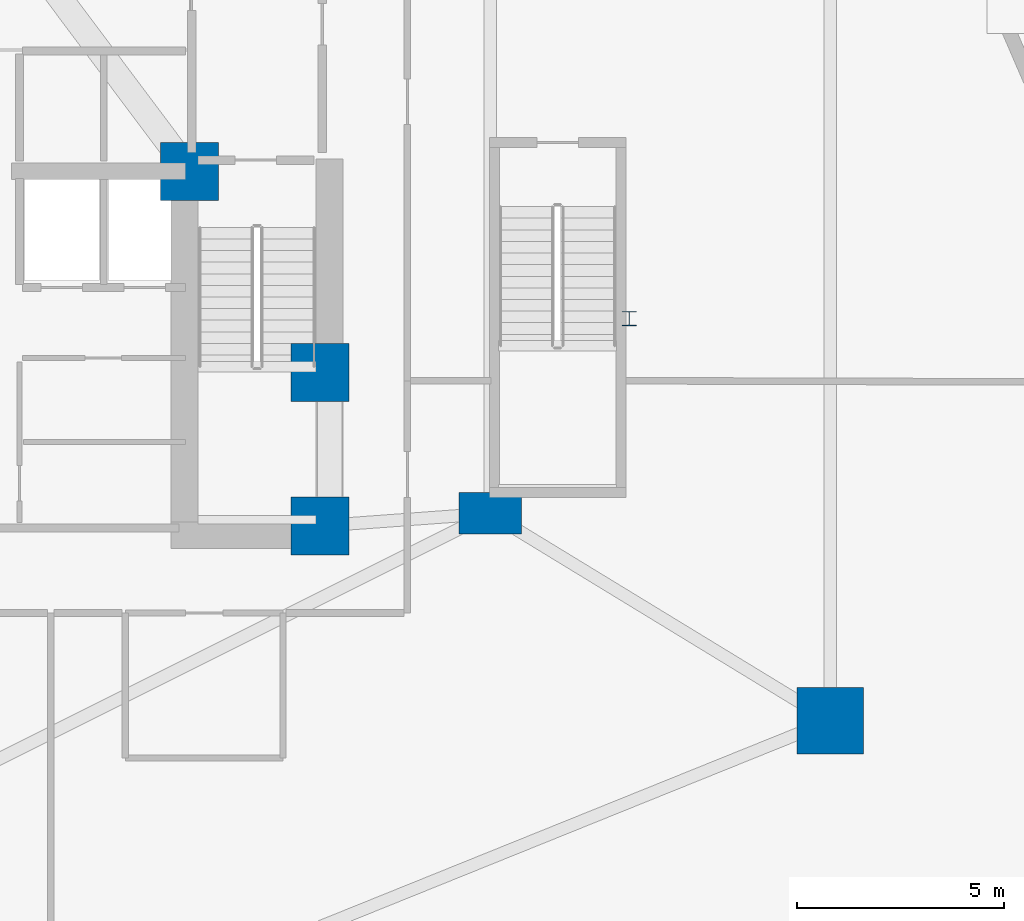
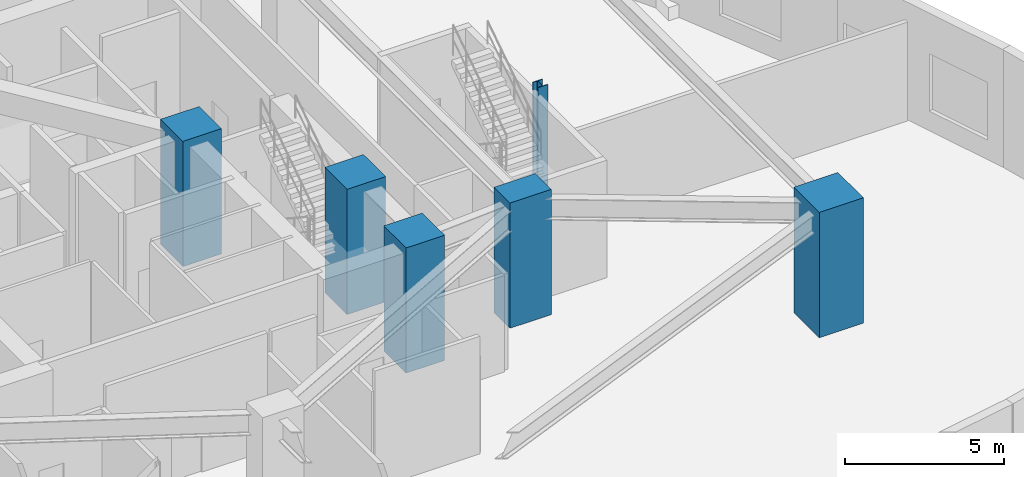
# One storey, part 2 of 23: 6 columns.
"""IFC4 building model written with IfcOpenShell, lengths in metres."""

from ifc_helpers import new_model, si_unit, direction, frame, origin, origin_2d, place, context, subcontext, project, spatial, rectangle, i_section, extrude, material, material_profile, profile_set, type_object, element, save


model = new_model("IFC4")

# Units and contexts
model_context = context("Model", 3, precision=1e-05, world=origin(), true_north=direction((0.0, 1.0)))
body_context = subcontext(model_context, "Body", "Model", "MODEL_VIEW")
ifc_project = project(units=[si_unit("LENGTHUNIT", "METRE"), si_unit("AREAUNIT", "SQUARE_METRE"), si_unit("VOLUMEUNIT", "CUBIC_METRE"), si_unit("PLANEANGLEUNIT", "RADIAN"), si_unit("MASSUNIT", "GRAM", prefix="KILO")], contexts=[model_context])

# Site, building, storey
site_placement = place(None, origin())
site = spatial("IfcSite", under=ifc_project, at=site_placement, CompositionType="ELEMENT")
building_placement = place(site_placement, origin())
building = spatial("IfcBuilding", under=site, at=building_placement, Name="Miruveldt Soraemaru", CompositionType="ELEMENT")
storey_placement = place(building_placement, frame((0.0, 0.0, 14.39990234375)))
storey = spatial("IfcBuildingStorey", under=building, at=storey_placement, Name="L04", CompositionType="ELEMENT", Elevation=14.39990234375)

# Columns
ifc_material_1 = material(Name="Concrete C80/95 (80 MPa)", Category="concrete")
ifc_material_profile_1 = material_profile(ifc_material_1, rectangle(XDim=1.39990234375, YDim=1.39990234375, at=origin_2d()), Name="Concrete C80/95 (80 MPa)", Category="concrete")
ifc_profile_set_1 = profile_set([ifc_material_profile_1], Name="Concrete C80/95 (80 MPa)")
column_type_1 = type_object("IfcColumnType", Name="COL-MEGA-1400", PredefinedType="COLUMN", material=ifc_profile_set_1)
for number, where, z_axis, x_axis, name in (
    (1, (52.5, 35.5, 0.0), (0.0, 0.0, 1.0), (1.0, 0.0, 0.0), "L04 Structural Column CC3"),
    (2, (52.5, 39.199951171875, 0.0), (0.0, 0.0, 1.0), (1.0, 0.0, 0.0), "L04 Structural Column CC4"),
    (3, (49.35009765625, 44.050048828125, 0.0), (0.0, 0.0, 1.0), (1.0, 0.0, 0.0), "L04 Structural Column CC5"),
):
    element("IfcColumn", number, at=place(storey_placement, frame(where, z_axis=z_axis, x_axis=x_axis)), inside=storey, type_object=column_type_1, Name=name, PredefinedType="COLUMN", context=body_context, shape_type="SweptSolid", body=[
        extrude(rectangle(XDim=1.39990234375, YDim=1.39990234375, at=origin_2d()), origin(), (0.0, 0.0, 1.0), 4.800048828125),
    ])
ifc_material_profile_2 = material_profile(ifc_material_1, rectangle(XDim=1.60009765625, YDim=1.60009765625, at=origin_2d()), Name="Concrete C80/95 (80 MPa)", Category="concrete")
ifc_profile_set_2 = profile_set([ifc_material_profile_2], Name="Concrete C80/95 (80 MPa)")
column_type_2 = type_object("IfcColumnType", Name="COL-MEGA-1600", PredefinedType="COLUMN", material=ifc_profile_set_2)
column_1_placement = place(storey_placement, frame((64.800048828125, 30.800048828125, 0.0), z_axis=(0.0, 0.0, 1.0), x_axis=(1.0, 0.0, 0.0)))
element("IfcColumn", 4, at=column_1_placement, inside=storey, type_object=column_type_2, Name="L04 Structural Column PM03", PredefinedType="COLUMN", context=body_context, shape_type="SweptSolid", body=[
    extrude(rectangle(XDim=1.60009765625, YDim=1.60009765625, at=origin_2d()), origin(), (0.0, 0.0, 1.0), 4.800048828125),
])
ifc_material_2 = material(Name="Steel SM355 (355 MPa)", Category="steel")
ifc_material_profile_3 = material_profile(ifc_material_2, i_section(OverallWidth=0.35009765625, OverallDepth=0.35009765625, WebThickness=0.011962890625, FlangeThickness=0.01904296875, FilletRadius=0.02001953125, at=origin_2d()), Name="Steel SM355 (355 MPa)", Category="steel")
ifc_profile_set_3 = profile_set([ifc_material_profile_3], Name="Steel SM355 (355 MPa)")
column_type_3 = type_object("IfcColumnType", Name="COL-PIL-350", PredefinedType="PILASTER", material=ifc_profile_set_3)
column_2_placement = place(storey_placement, frame((59.949951171875, 40.5, 0.0), z_axis=(0.0, 0.0, 1.0), x_axis=(1.0, 0.0, 0.0)))
element("IfcColumn", 5, at=column_2_placement, inside=storey, type_object=column_type_3, Name="L04 Structural Column PIL2", PredefinedType="PILASTER", context=body_context, shape_type="SweptSolid", body=[
    extrude(i_section(OverallWidth=0.35009765625, OverallDepth=0.35009765625, WebThickness=0.011962890625, FlangeThickness=0.01904296875, FilletRadius=0.02001953125, at=origin_2d()), origin(), (0.0, 0.0, 1.0), 4.800048828125),
])
ifc_material_profile_4 = material_profile(ifc_material_1, rectangle(XDim=1.5, YDim=1.0, at=origin_2d()), Name="Concrete C80/95 (80 MPa)", Category="concrete")
ifc_profile_set_4 = profile_set([ifc_material_profile_4], Name="Concrete C80/95 (80 MPa)")
column_type_4 = type_object("IfcColumnType", Name="COL-TW-Z1A", PredefinedType="COLUMN", material=ifc_profile_set_4)
column_3_placement = place(storey_placement, frame((56.60009765625, 35.800048828125, 0.0), z_axis=(0.0, 0.0, 1.0), x_axis=(1.0, 0.0, 0.0)))
element("IfcColumn", 6, at=column_3_placement, inside=storey, type_object=column_type_4, Name="L04 Structural Column IR03", PredefinedType="COLUMN", context=body_context, shape_type="SweptSolid", body=[
    extrude(rectangle(XDim=1.5, YDim=1.0, at=origin_2d()), origin(), (0.0, 0.0, 1.0), 4.800048828125),
])

save(model, "model.ifc")
